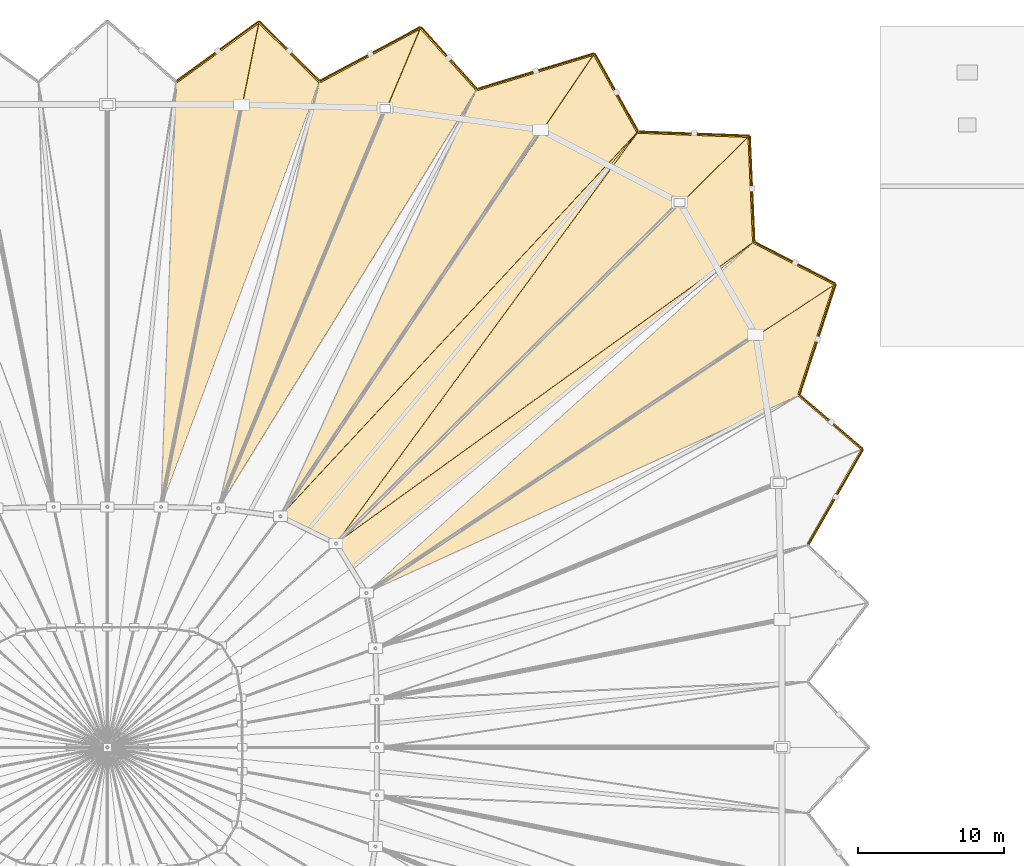
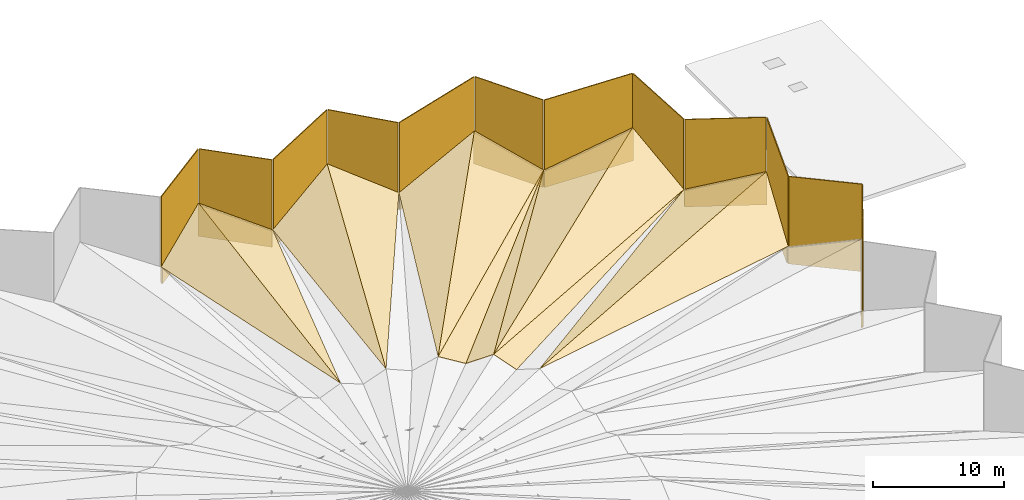
# One storey, part 41 of 41: 25 coverings, 12 shading devices.
"""IFC4 building model written with IfcOpenShell, lengths in metres."""

from ifc_helpers import new_model, si_unit, direction, frame, origin, origin_2d, place, context, subcontext, project, spatial, polyline, rectangle, outline, extrude, material, layer, layer_set, type_object, element, save


model = new_model("IFC4")

# Units and contexts
model_context = context("Model", 3, precision=1e-05, world=origin(), true_north=direction((0.0, 1.0)))
body_context = subcontext(model_context, "Body", "Model", "MODEL_VIEW")
ifc_project = project(units=[si_unit("LENGTHUNIT", "METRE"), si_unit("AREAUNIT", "SQUARE_METRE"), si_unit("VOLUMEUNIT", "CUBIC_METRE"), si_unit("PLANEANGLEUNIT", "RADIAN"), si_unit("MASSUNIT", "GRAM", prefix="KILO")], contexts=[model_context])

# Site, building, storey
site_placement = place(None, origin())
site = spatial("IfcSite", under=ifc_project, at=site_placement, CompositionType="ELEMENT")
building_placement = place(site_placement, origin())
building = spatial("IfcBuilding", under=site, at=building_placement, Name="Luwafu Chhajja Arena", CompositionType="ELEMENT")
storey_placement = place(building_placement, frame((0.0, 0.0, 29.699951171875)))
storey = spatial("IfcBuildingStorey", under=building, at=storey_placement, Name="RF", CompositionType="ELEMENT", Elevation=29.699951171875)

# Shading devices
ifc_material_1 = material(Name="Pierced buff sandstone jali", Category="masonry")
ifc_layer_1 = layer(ifc_material_1, 0.080078125, Name="Pierced buff sandstone jali")
ifc_layer_set_1 = layer_set([ifc_layer_1], Name="Pierced buff sandstone jali")
shading_device_type = type_object("IfcShadingDeviceType", Name="Pierced Buff-Sandstone Jali Screen", PredefinedType="JALOUSIE", material=ifc_layer_set_1)
shading_device_1_placement = place(storey_placement, frame((148.98291015625, 66.6748046875, -1.06005859375), z_axis=(0.0, 0.0, 1.0), x_axis=(0.497200973482, 0.867635402671, 0.0)))
element("IfcShadingDevice", 1, at=shading_device_1_placement, inside=storey, type_object=shading_device_type, Name="RF Crown Acoustic Jali Screen 04", PredefinedType="JALOUSIE", context=body_context, shape_type="SweptSolid", body=[
    extrude(rectangle(XDim=7.4619140625, YDim=0.080078125, at=origin_2d()), origin(), (0.0, 0.0, 1.0), 8.02001953125),
])
shading_device_2_placement = place(storey_placement, frame((148.68359375, 71.81640625, -1.06005859375), z_axis=(0.0, 0.0, 1.0), x_axis=(-0.760438832621, 0.649409564021, 0.0)))
element("IfcShadingDevice", 2, at=shading_device_2_placement, inside=storey, type_object=shading_device_type, Name="RF Crown Acoustic Jali Screen 05", PredefinedType="JALOUSIE", context=body_context, shape_type="SweptSolid", body=[
    extrude(rectangle(XDim=5.6318359375, YDim=0.080078125, at=origin_2d()), origin(), (0.0, 0.0, 1.0), 8.02001953125),
])
shading_device_3_placement = place(storey_placement, frame((147.749267578125, 77.492919921875, -1.06005859375), z_axis=(0.0, 0.0, 1.0), x_axis=(0.310226236034, 0.950662759593, 0.0)))
element("IfcShadingDevice", 3, at=shading_device_3_placement, inside=storey, type_object=shading_device_type, Name="RF Crown Acoustic Jali Screen 06", PredefinedType="JALOUSIE", context=body_context, shape_type="SweptSolid", body=[
    extrude(rectangle(XDim=7.926513671875, YDim=0.080078125, at=origin_2d()), origin(), (0.0, 0.0, 1.0), 8.02001953125),
])
shading_device_4_placement = place(storey_placement, frame((146.197509765625, 82.75244140625, -1.06005859375), z_axis=(0.0, 0.0, 1.0), x_axis=(-0.888491974028, 0.458892157361, 0.0)))
element("IfcShadingDevice", 4, at=shading_device_4_placement, inside=storey, type_object=shading_device_type, Name="RF Crown Acoustic Jali Screen 07", PredefinedType="JALOUSIE", context=body_context, shape_type="SweptSolid", body=[
    extrude(rectangle(XDim=6.1953125, YDim=0.080078125, at=origin_2d()), origin(), (0.0, 0.0, 1.0), 8.02001953125),
])
shading_device_5_placement = place(storey_placement, frame((143.2421875, 87.83642578125, -1.06005859375), z_axis=(0.0, 0.0, 1.0), x_axis=(-0.043562300264, 0.999050712424, 0.0)))
element("IfcShadingDevice", 5, at=shading_device_5_placement, inside=storey, type_object=shading_device_type, Name="RF Crown Acoustic Jali Screen 08", PredefinedType="JALOUSIE", context=body_context, shape_type="SweptSolid", body=[
    extrude(rectangle(XDim=7.18603515625, YDim=0.080078125, at=origin_2d()), origin(), (0.0, 0.0, 1.0), 8.02001953125),
])
shading_device_6_placement = place(storey_placement, frame((139.254638671875, 91.61962890625, -1.06005859375), z_axis=(0.0, 0.0, 1.0), x_axis=(-0.999297927203, 0.037465353157, 0.0)))
element("IfcShadingDevice", 6, at=shading_device_6_placement, inside=storey, type_object=shading_device_type, Name="RF Crown Acoustic Jali Screen 09", PredefinedType="JALOUSIE", context=body_context, shape_type="SweptSolid", body=[
    extrude(rectangle(XDim=7.56298828125, YDim=0.080078125, at=origin_2d()), origin(), (0.0, 0.0, 1.0), 8.02001953125),
])
shading_device_7_placement = place(storey_placement, frame((133.9267578125, 94.449462890625, -1.06005859375), z_axis=(0.0, 0.0, 1.0), x_axis=(-0.487313131845, 0.873227296603, 0.0)))
element("IfcShadingDevice", 7, at=shading_device_7_placement, inside=storey, type_object=shading_device_type, Name="RF Crown Acoustic Jali Screen 10", PredefinedType="JALOUSIE", context=body_context, shape_type="SweptSolid", body=[
    extrude(rectangle(XDim=6.052978515625, YDim=0.080078125, at=origin_2d()), origin(), (0.0, 0.0, 1.0), 8.02001953125),
])
shading_device_8_placement = place(storey_placement, frame((128.395751953125, 95.909912109375, -1.06005859375), z_axis=(0.0, 0.0, 1.0), x_axis=(-0.9567402425, -0.290943479702, 0.0)))
element("IfcShadingDevice", 8, at=shading_device_8_placement, inside=storey, type_object=shading_device_type, Name="RF Crown Acoustic Jali Screen 11", PredefinedType="JALOUSIE", context=body_context, shape_type="SweptSolid", body=[
    extrude(rectangle(XDim=8.328125, YDim=0.080078125, at=origin_2d()), origin(), (0.0, 0.0, 1.0), 8.02001953125),
])
shading_device_9_placement = place(storey_placement, frame((122.4375, 96.81640625, -1.06005859375), z_axis=(0.0, 0.0, 1.0), x_axis=(-0.670358269136, 0.742037594062, 0.0)))
element("IfcShadingDevice", 9, at=shading_device_9_placement, inside=storey, type_object=shading_device_type, Name="RF Crown Acoustic Jali Screen 12", PredefinedType="JALOUSIE", context=body_context, shape_type="SweptSolid", body=[
    extrude(rectangle(XDim=5.647705078125, YDim=0.080078125, at=origin_2d()), origin(), (0.0, 0.0, 1.0), 8.02001953125),
])
shading_device_10_placement = place(storey_placement, frame((117.038818359375, 97.086181640625, -1.06005859375), z_axis=(0.0, 0.0, 1.0), x_axis=(-0.881200624672, -0.472742487067, 0.0)))
element("IfcShadingDevice", 10, at=shading_device_10_placement, inside=storey, type_object=shading_device_type, Name="RF Crown Acoustic Jali Screen 13", PredefinedType="JALOUSIE", context=body_context, shape_type="SweptSolid", body=[
    extrude(rectangle(XDim=7.780517578125, YDim=0.080078125, at=origin_2d()), origin(), (0.0, 0.0, 1.0), 8.02001953125),
])
shading_device_11_placement = place(storey_placement, frame((111.4892578125, 97.283203125, -1.06005859375), z_axis=(0.0, 0.0, 1.0), x_axis=(-0.710108737602, 0.70409202579, 0.0)))
element("IfcShadingDevice", 11, at=shading_device_11_placement, inside=storey, type_object=shading_device_type, Name="RF Crown Acoustic Jali Screen 14", PredefinedType="JALOUSIE", context=body_context, shape_type="SweptSolid", body=[
    extrude(rectangle(XDim=5.75048828125, YDim=0.080078125, at=origin_2d()), origin(), (0.0, 0.0, 1.0), 8.02001953125),
])
shading_device_12_placement = place(storey_placement, frame((106.570068359375, 97.276611328125, -1.06005859375), z_axis=(0.0, 0.0, 1.0), x_axis=(-0.808838836348, -0.588030387663, 0.0)))
element("IfcShadingDevice", 12, at=shading_device_12_placement, inside=storey, type_object=shading_device_type, Name="RF Crown Acoustic Jali Screen 15", PredefinedType="JALOUSIE", context=body_context, shape_type="SweptSolid", body=[
    extrude(rectangle(XDim=6.927490234375, YDim=0.080078125, at=origin_2d()), origin(), (0.0, 0.0, 1.0), 8.02001953125),
])

# Coverings
ifc_material_2 = material(Name="White architectural roof membrane")
ifc_layer_2 = layer(ifc_material_2, 0.06005859375, Name="White architectural roof membrane")
ifc_layer_set_2 = layer_set([ifc_layer_2], Name="White architectural roof membrane")
covering_type = type_object("IfcCoveringType", Name="White Architectural Standing-Seam Roofing", PredefinedType="ROOFING", material=ifc_layer_set_2)
covering_1_placement = place(storey_placement, frame((146.504150390625, 73.677490234375, 0.465087890625), z_axis=(0.3473951664, -0.283222007204, 0.893924992937), x_axis=(0.305276328373, 0.935524232111, 0.177766066694)))
element("IfcCovering", 13, at=covering_1_placement, inside=storey, type_object=covering_type, Name="White Folded Roof Covering 03B1", PredefinedType="ROOFING", context=body_context, shape_type="SweptSolid", body=[
    extrude(outline(polyline([(0.0, 0.0), (8.156512650831873, -3.3306690738754696e-16), (-20.49883700590129, 26.47660026338137), (0.0, 0.0)])), origin(), (0.0, 0.0, -1.0), 0.06005859375),
])
covering_2_placement = place(storey_placement, frame((148.994140625, 81.30810546875, 1.9150390625), z_axis=(-0.061853072493, 0.349499184642, 0.934892783884), x_axis=(-0.865832474481, 0.447164113403, -0.224451290526)))
element("IfcCovering", 14, at=covering_2_placement, inside=storey, type_object=covering_type, Name="White Folded Roof Covering 04A1", PredefinedType="ROOFING", context=body_context, shape_type="SweptSolid", body=[
    extrude(outline(polyline([(0.0, 0.0), (6.459981443988203, -4.996003610813204e-16), (17.110087458950247, 35.06257738107109), (0.0, 0.0)])), origin(), (0.0, 0.0, -1.0), 0.06005859375),
])
covering_3_placement = place(storey_placement, frame((143.40087890625, 84.19677734375, 0.465087890625), z_axis=(0.353422787371, -0.167898181303, 0.920273075822), x_axis=(-0.042721675449, 0.979838057845, 0.195172331149)))
element("IfcCovering", 15, at=covering_3_placement, inside=storey, type_object=covering_type, Name="White Folded Roof Covering 04B1", PredefinedType="ROOFING", context=body_context, shape_type="SweptSolid", body=[
    extrude(outline(polyline([(0.0, 0.0), (7.429081588250116, 5.551115123125783e-17), (-17.64777078743736, 31.535220358949157), (0.0, 0.0)])), origin(), (0.0, 0.0, -1.0), 0.06005859375),
])
covering_4_placement = place(storey_placement, frame((143.40087890625, 84.19677734375, 0.465087890625), z_axis=(0.361773439984, -0.18152691541, 0.914422198497), x_axis=(-0.794614643139, -0.573007835302, 0.200623003645)))
element("IfcCovering", 16, at=covering_4_placement, inside=storey, type_object=covering_type, Name="White Folded Roof Covering 04B2", PredefinedType="ROOFING", context=body_context, shape_type="SweptSolid", body=[
    extrude(outline(polyline([(0.0, 0.0), (36.13743124315022, -4.884981308350689e-15), (36.13201130146253, 2.130358785350517), (0.0, 0.0)])), origin(), (0.0, 0.0, -1.0), 0.06005859375),
])
covering_5_placement = place(storey_placement, frame((143.08349609375, 91.47607421875, 1.9150390625), z_axis=(-0.161121281177, 0.35438784221, 0.921113016978), x_axis=(-0.981876238956, 0.036813315597, -0.185913504532)))
element("IfcCovering", 17, at=covering_5_placement, inside=storey, type_object=covering_type, Name="White Folded Roof Covering 05A1", PredefinedType="ROOFING", context=body_context, shape_type="SweptSolid", body=[
    extrude(outline(polyline([(0.0, 0.0), (7.799063201578999, 1.1102230246251565e-16), (25.774694639222393, 30.96746299609228), (0.0, 0.0)])), origin(), (0.0, 0.0, -1.0), 0.06005859375),
])
covering_6_placement = place(storey_placement, frame((135.42578125, 91.76318359375, 0.465087890625), z_axis=(-0.180395346816, 0.366395927762, 0.912804219407), x_axis=(-0.627424833097, -0.757566209461, 0.180087526212)))
element("IfcCovering", 18, at=covering_6_placement, inside=storey, type_object=covering_type, Name="White Folded Roof Covering 05A2", PredefinedType="ROOFING", context=body_context, shape_type="SweptSolid", body=[
    extrude(outline(polyline([(0.0, 0.0), (36.093560374368714, 3.552713678800501e-15), (35.737573531452725, 2.2210196037738443), (0.0, 0.0)])), origin(), (0.0, 0.0, -1.0), 0.06005859375),
])
covering_7_placement = place(storey_placement, frame((135.42578125, 91.76318359375, 0.465087890625), z_axis=(0.34299732248, -0.061543246292, 0.937318124015), x_axis=(-0.474313891171, 0.849949173765, 0.229374660017)))
element("IfcCovering", 19, at=covering_7_placement, inside=storey, type_object=covering_type, Name="White Folded Roof Covering 05B1", PredefinedType="ROOFING", context=body_context, shape_type="SweptSolid", body=[
    extrude(outline(polyline([(0.0, 0.0), (6.32132238046018, -3.3306690738754696e-16), (-9.141690300187491, 35.62891986543352), (0.0, 0.0)])), origin(), (0.0, 0.0, -1.0), 0.06005859375),
])
covering_8_placement = place(storey_placement, frame((135.42578125, 91.76318359375, 0.465087890625), z_axis=(0.340549010201, -0.058977332985, 0.938375215916), x_axis=(-0.667468707931, -0.718078265104, 0.197101824237)))
element("IfcCovering", 20, at=covering_8_placement, inside=storey, type_object=covering_type, Name="White Folded Roof Covering 05B2", PredefinedType="ROOFING", context=body_context, shape_type="SweptSolid", body=[
    extrude(outline(polyline([(0.0, 0.0), (36.783018260088795, 0.0), (36.03125754734162, 2.119806608003964), (0.0, 0.0)])), origin(), (0.0, 0.0, -1.0), 0.06005859375),
])
covering_9_placement = place(storey_placement, frame((132.427490234375, 97.135986328125, 1.9150390625), z_axis=(-0.26675234631, 0.345079364923, 0.899868555758), x_axis=(-0.942886814587, -0.286737167425, -0.169547196071)))
element("IfcCovering", 21, at=covering_9_placement, inside=storey, type_object=covering_type, Name="White Folded Roof Covering 06A1", PredefinedType="ROOFING", context=body_context, shape_type="SweptSolid", body=[
    extrude(outline(polyline([(0.0, 0.0), (8.551902983216202, 0.0), (28.453063120405066, 26.437622642847426), (0.0, 0.0)])), origin(), (0.0, 0.0, -1.0), 0.06005859375),
])
covering_10_placement = place(storey_placement, frame((124.364013671875, 94.683837890625, 0.465087890625), z_axis=(0.362833494899, 0.011009941503, 0.931788944004), x_axis=(-0.649985807312, 0.719506529827, 0.244599271932)))
element("IfcCovering", 22, at=covering_10_placement, inside=storey, type_object=covering_type, Name="White Folded Roof Covering 06B1", PredefinedType="ROOFING", context=body_context, shape_type="SweptSolid", body=[
    extrude(outline(polyline([(0.0, 0.0), (5.927863809344509, 5.551115123125783e-17), (-7.399314294998391, 33.778076103427374), (0.0, 0.0)])), origin(), (0.0, 0.0, -1.0), 0.06005859375),
])
covering_11_placement = place(storey_placement, frame((120.510986328125, 98.948974609375, 1.9150390625), z_axis=(-0.347305866704, 0.301848847141, 0.887843403102), x_axis=(-0.866654918212, -0.464937741322, -0.180947919116)))
element("IfcCovering", 23, at=covering_11_placement, inside=storey, type_object=covering_type, Name="White Folded Roof Covering 07A1", PredefinedType="ROOFING", context=body_context, shape_type="SweptSolid", body=[
    extrude(outline(polyline([(0.0, 0.0), (8.013085637880708, -1.1102230246251565e-16), (26.353957125142717, 24.98081354399708), (0.0, 0.0)])), origin(), (0.0, 0.0, -1.0), 0.06005859375),
])
covering_12_placement = place(storey_placement, frame((113.56640625, 95.223388671875, 0.465087890625), z_axis=(0.397267920051, 0.078812957808, 0.914312155328), x_axis=(-0.689232259532, 0.683440051428, 0.240558908637)))
element("IfcCovering", 24, at=covering_12_placement, inside=storey, type_object=covering_type, Name="White Folded Roof Covering 07B1", PredefinedType="ROOFING", context=body_context, shape_type="SweptSolid", body=[
    extrude(outline(polyline([(0.0, 0.0), (6.02742662947628, 1.1102230246251565e-16), (-10.727402996099578, 30.170933511379992), (0.0, 0.0)])), origin(), (0.0, 0.0, -1.0), 0.06005859375),
])
covering_13_placement = place(storey_placement, frame((109.412109375, 99.3427734375, 1.9150390625), z_axis=(-0.396839891971, 0.234476980596, 0.887433741589), x_axis=(-0.792155582605, -0.575896632212, -0.202070784515)))
element("IfcCovering", 25, at=covering_13_placement, inside=storey, type_object=covering_type, Name="White Folded Roof Covering 08A1", PredefinedType="ROOFING", context=body_context, shape_type="SweptSolid", body=[
    extrude(outline(polyline([(0.0, 0.0), (7.175461684635255, -1.1102230246251565e-16), (23.366207074902867, 25.39743907686257), (0.0, 0.0)])), origin(), (0.0, 0.0, -1.0), 0.06005859375),
])
covering_14_placement = place(storey_placement, frame((147.10302734375, 63.394287109375, -1.099853515625), z_axis=(0.86763851296, -0.497195545865, 0.0), x_axis=(0.497195545865, 0.86763851296, 0.0)))
element("IfcCovering", 26, at=covering_14_placement, inside=storey, type_object=covering_type, Name="RF Pleated Rim Eave Fascia 04", PredefinedType="ROOFING", context=body_context, shape_type="SweptSolid", body=[
    extrude(outline(polyline([(0.0, 0.0), (7.561945508695504, 0.0), (7.561945508695504, 2.949951171875), (0.0, 1.5), (0.0, 0.0)])), origin(), (0.0, 0.0, -1.0), 0.139892578125),
])
covering_15_placement = place(storey_placement, frame((150.86279296875, 69.955322265625, -1.099853515625), z_axis=(0.649401190824, 0.760445983194, 0.0), x_axis=(-0.760445983194, 0.649401190824, 0.0)))
element("IfcCovering", 27, at=covering_15_placement, inside=storey, type_object=covering_type, Name="RF Pleated Rim Eave Fascia 05", PredefinedType="ROOFING", context=body_context, shape_type="SweptSolid", body=[
    extrude(outline(polyline([(0.0, 0.0), (5.731692552068076, 0.0), (5.731692552068076, 1.5000000000000004), (0.0, 2.9499511718750004), (0.0, 0.0)])), origin(), (0.0, 0.0, -1.0), 0.139892578125),
])
covering_16_placement = place(storey_placement, frame((146.504150390625, 73.677490234375, -1.099853515625), z_axis=(0.950665699066, -0.310217228116, 0.0), x_axis=(0.310217228116, 0.950665699066, 0.0)))
element("IfcCovering", 28, at=covering_16_placement, inside=storey, type_object=covering_type, Name="RF Pleated Rim Eave Fascia 06", PredefinedType="ROOFING", context=body_context, shape_type="SweptSolid", body=[
    extrude(outline(polyline([(0.0, 0.0), (8.02660203463201, 0.0), (8.02660203463201, 2.9499511718750004), (0.0, 1.5000000000000004), (0.0, 0.0)])), origin(), (0.0, 0.0, -1.0), 0.139892578125),
])
covering_17_placement = place(storey_placement, frame((148.994140625, 81.30810546875, -1.099853515625), z_axis=(0.458872092891, 0.888502336725, 0.0), x_axis=(-0.888502336725, 0.458872092891, 0.0)))
element("IfcCovering", 29, at=covering_17_placement, inside=storey, type_object=covering_type, Name="RF Pleated Rim Eave Fascia 07", PredefinedType="ROOFING", context=body_context, shape_type="SweptSolid", body=[
    extrude(outline(polyline([(0.0, 0.0), (6.295157015980636, 0.0), (6.295157015980636, 1.5), (0.0, 2.949951171875), (0.0, 0.0)])), origin(), (0.0, 0.0, -1.0), 0.139892578125),
])
covering_18_placement = place(storey_placement, frame((143.40087890625, 84.19677734375, -1.099853515625), z_axis=(0.999050840313, 0.043559367199, 0.0), x_axis=(-0.043559367199, 0.999050840313, 0.0)))
element("IfcCovering", 30, at=covering_18_placement, inside=storey, type_object=covering_type, Name="RF Pleated Rim Eave Fascia 08", PredefinedType="ROOFING", context=body_context, shape_type="SweptSolid", body=[
    extrude(outline(polyline([(0.0, 0.0), (7.286212654325646, 0.0), (7.286212654325646, 2.949951171875), (0.0, 1.5), (0.0, 0.0)])), origin(), (0.0, 0.0, -1.0), 0.139892578125),
])
covering_19_placement = place(storey_placement, frame((143.08349609375, 91.47607421875, -1.099853515625), z_axis=(0.037466502319, 0.999297884119, 0.0), x_axis=(-0.999297884119, 0.037466502319, 0.0)))
element("IfcCovering", 31, at=covering_19_placement, inside=storey, type_object=covering_type, Name="RF Pleated Rim Eave Fascia 09", PredefinedType="ROOFING", context=body_context, shape_type="SweptSolid", body=[
    extrude(outline(polyline([(0.0, 0.0), (7.663095224607481, 0.0), (7.663095224607481, 1.5), (0.0, 2.949951171875), (0.0, 0.0)])), origin(), (0.0, 0.0, -1.0), 0.139892578125),
])
covering_20_placement = place(storey_placement, frame((135.42578125, 91.76318359375, -1.099853515625), z_axis=(0.87323108, 0.487306352228, 0.0), x_axis=(-0.487306352228, 0.87323108, 0.0)))
element("IfcCovering", 32, at=covering_20_placement, inside=storey, type_object=covering_type, Name="RF Pleated Rim Eave Fascia 10", PredefinedType="ROOFING", context=body_context, shape_type="SweptSolid", body=[
    extrude(outline(polyline([(0.0, 0.0), (6.152784592108283, 0.0), (6.152784592108283, 2.9499511718749996), (0.0, 1.4999999999999998), (0.0, 0.0)])), origin(), (0.0, 0.0, -1.0), 0.139892578125),
])
covering_21_placement = place(storey_placement, frame((132.427490234375, 97.135986328125, -1.099853515625), z_axis=(-0.290949514446, 0.956738407321, 0.0), x_axis=(-0.956738407321, -0.290949514446, 0.0)))
element("IfcCovering", 33, at=covering_21_placement, inside=storey, type_object=covering_type, Name="RF Pleated Rim Eave Fascia 11", PredefinedType="ROOFING", context=body_context, shape_type="SweptSolid", body=[
    extrude(outline(polyline([(0.0, 0.0), (8.428089121118767, 0.0), (8.428089121118767, 1.5), (0.0, 2.949951171875), (0.0, 0.0)])), origin(), (0.0, 0.0, -1.0), 0.139892578125),
])
covering_22_placement = place(storey_placement, frame((124.364013671875, 94.683837890625, -1.099853515625), z_axis=(0.742046752654, 0.670348131104, 0.0), x_axis=(-0.670348131104, 0.742046752654, 0.0)))
element("IfcCovering", 34, at=covering_22_placement, inside=storey, type_object=covering_type, Name="RF Pleated Rim Eave Fascia 12", PredefinedType="ROOFING", context=body_context, shape_type="SweptSolid", body=[
    extrude(outline(polyline([(0.0, 0.0), (5.747800530752151, 0.0), (5.747800530752151, 2.949951171875), (0.0, 1.5), (0.0, 0.0)])), origin(), (0.0, 0.0, -1.0), 0.139892578125),
])
covering_23_placement = place(storey_placement, frame((120.510986328125, 98.948974609375, -1.099853515625), z_axis=(-0.472741435731, 0.881201188687, 0.0), x_axis=(-0.881201188687, -0.472741435731, 0.0)))
element("IfcCovering", 35, at=covering_23_placement, inside=storey, type_object=covering_type, Name="RF Pleated Rim Eave Fascia 13", PredefinedType="ROOFING", context=body_context, shape_type="SweptSolid", body=[
    extrude(outline(polyline([(0.0, 0.0), (7.880811064807251, 0.0), (7.880811064807251, 1.4999999999999998), (0.0, 2.9499511718749996), (0.0, 0.0)])), origin(), (0.0, 0.0, -1.0), 0.139892578125),
])
covering_24_placement = place(storey_placement, frame((113.56640625, 95.223388671875, -1.099853515625), z_axis=(0.704116763638, 0.710084208502, 0.0), x_axis=(-0.710084208502, 0.704116763638, 0.0)))
element("IfcCovering", 36, at=covering_24_placement, inside=storey, type_object=covering_type, Name="RF Pleated Rim Eave Fascia 14", PredefinedType="ROOFING", context=body_context, shape_type="SweptSolid", body=[
    extrude(outline(polyline([(0.0, 0.0), (5.8504284777183715, 0.0), (5.8504284777183715, 2.949951171875), (0.0, 1.5), (0.0, 0.0)])), origin(), (0.0, 0.0, -1.0), 0.139892578125),
])
covering_25_placement = place(storey_placement, frame((109.412109375, 99.3427734375, -1.099853515625), z_axis=(-0.588027090371, 0.808841233488, 0.0), x_axis=(-0.808841233488, -0.588027090371, 0.0)))
element("IfcCovering", 37, at=covering_25_placement, inside=storey, type_object=covering_type, Name="RF Pleated Rim Eave Fascia 15", PredefinedType="ROOFING", context=body_context, shape_type="SweptSolid", body=[
    extrude(outline(polyline([(0.0, 0.0), (7.0274385082223905, 0.0), (7.0274385082223905, 1.5), (0.0, 2.949951171875), (0.0, 0.0)])), origin(), (0.0, 0.0, -1.0), 0.139892578125),
])

save(model, "model.ifc")
